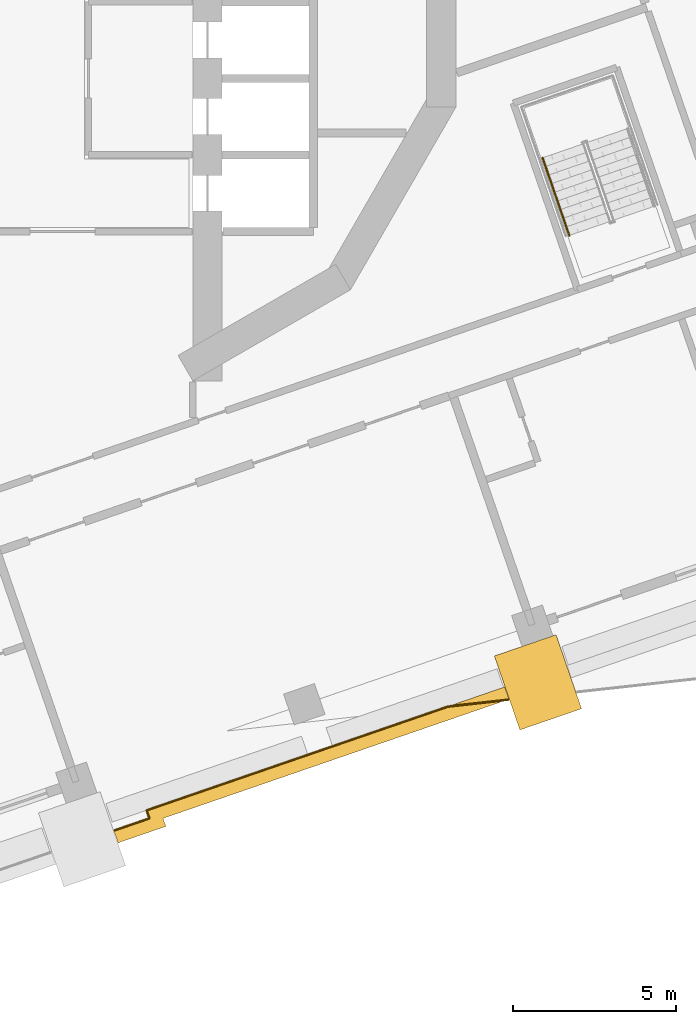
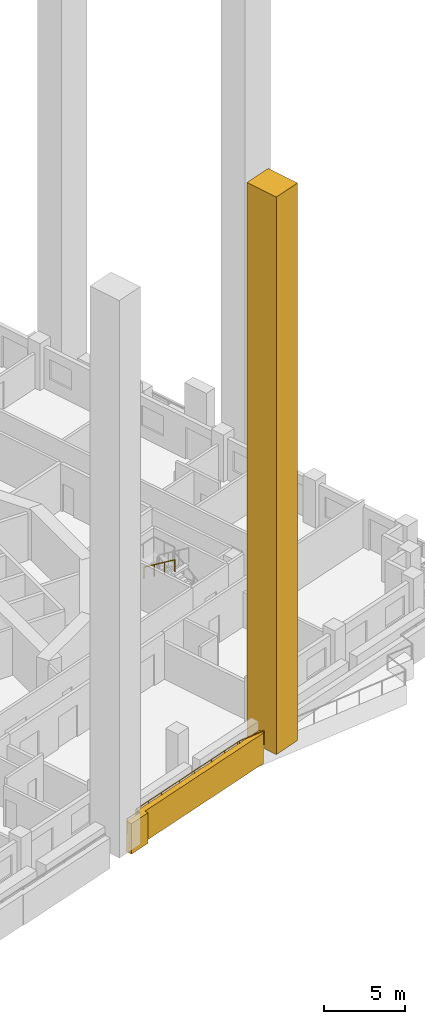
# One storey, part 12 of 18: 3 railings, 2 coverings.
"""IFC4 building model written with IfcOpenShell, lengths in metres."""

from ifc_helpers import new_model, si_unit, direction, frame, origin, origin_2d, place, context, subcontext, project, spatial, polyline, rectangle, circle, outline, extrude, material, type_object, element, save


model = new_model("IFC4")

# Units and contexts
model_context = context("Model", 3, precision=1e-05, world=origin(), true_north=direction((0.0, 1.0)))
body_context = subcontext(model_context, "Body", "Model", "MODEL_VIEW")
ifc_project = project(units=[si_unit("LENGTHUNIT", "METRE"), si_unit("AREAUNIT", "SQUARE_METRE"), si_unit("VOLUMEUNIT", "CUBIC_METRE"), si_unit("PLANEANGLEUNIT", "RADIAN"), si_unit("MASSUNIT", "GRAM", prefix="KILO")], contexts=[model_context])

# Site, building, storey
site_placement = place(None, origin())
site = spatial("IfcSite", under=ifc_project, at=site_placement, CompositionType="ELEMENT")
building_placement = place(site_placement, origin())
building = spatial("IfcBuilding", under=site, at=building_placement, Name="Cantera Rosa Tower", CompositionType="ELEMENT")
storey_placement = place(building_placement, frame((0.0, 0.0, 100.300048828125)))
storey = spatial("IfcBuildingStorey", under=building, at=storey_placement, Name="L19", CompositionType="ELEMENT", Elevation=100.300048828125)

# Railings
ifc_material_1 = material(Name="Stainless steel and laminated glass", Category="steel")
railing_type_1 = type_object("IfcRailingType", Name="GUARD 1100", PredefinedType="BALUSTRADE", material=ifc_material_1)
railing_1_placement = place(storey_placement, frame((4.870849609375, -24.02294921875, 0.0)))
element("IfcRailing", 1, at=railing_1_placement, inside=storey, type_object=railing_type_1, Name="GUARD L19-7", PredefinedType="BALUSTRADE", context=body_context, shape_type="SweptSolid", body=[
    extrude(circle(Radius=0.030029296875, at=origin_2d()), frame((0.0, 0.0, 1.070068359375), z_axis=(-0.945499405939, -0.325623821868, 0.0), x_axis=(0.325623821868, -0.945499405939, 0.0)), (0.0, 0.0, 1.0), 2.420166015625),
    extrude(circle(Radius=0.030029296875, at=origin_2d()), frame((-2.288330078125, -0.7880859375, 1.070068359375), z_axis=(-0.928476690885, -0.371390676354, 0.0), x_axis=(0.371390676354, -0.928476690885, 0.0)), (0.0, 0.0, 1.0), 0.002685546875),
    extrude(circle(Radius=0.030029296875, at=origin_2d()), frame((-2.290771484375, -0.7890625, 1.070068359375), z_axis=(0.294085848838, -0.955779008722, 0.0), x_axis=(0.955779008722, 0.294085848838, 0.0)), (0.0, 0.0, 1.0), 0.00341796875),
    extrude(circle(Radius=0.030029296875, at=origin_2d()), frame((-2.289794921875, -0.792236328125, 1.070068359375), z_axis=(0.325582297087, -0.945513705783, 0.0), x_axis=(0.945513705783, 0.325582297087, 0.0)), (0.0, 0.0, 1.0), 0.258056640625),
    extrude(circle(Radius=0.030029296875, at=origin_2d()), frame((-2.205810546875, -1.0361328125, 1.070068359375), z_axis=(-0.945508186981, -0.325598323632, 0.0), x_axis=(0.325598323632, -0.945508186981, 0.0)), (0.0, 0.0, 1.0), 1.131591796875),
    extrude(circle(Radius=0.02490234375, at=origin_2d()), origin(), (0.0, 0.0, 1.0), 1.0400390625),
    extrude(circle(Radius=0.02490234375, at=origin_2d()), frame((-1.14404296875, -0.39404296875, 0.0)), (0.0, 0.0, 1.0), 1.0400390625),
    extrude(circle(Radius=0.02490234375, at=origin_2d()), frame((-2.288330078125, -0.7880859375, 0.0)), (0.0, 0.0, 1.0), 1.0400390625),
    extrude(circle(Radius=0.02490234375, at=origin_2d()), frame((-2.290771484375, -0.7890625, 0.0)), (0.0, 0.0, 1.0), 1.0400390625),
    extrude(circle(Radius=0.02490234375, at=origin_2d()), frame((-2.289794921875, -0.792236328125, 0.0)), (0.0, 0.0, 1.0), 1.0400390625),
    extrude(circle(Radius=0.02490234375, at=origin_2d()), frame((-2.205810546875, -1.0361328125, 0.0)), (0.0, 0.0, 1.0), 1.0400390625),
    extrude(circle(Radius=0.02490234375, at=origin_2d()), frame((-3.275634765625, -1.404541015625, 0.0)), (0.0, 0.0, 1.0), 1.0400390625),
])
railing_2_placement = place(storey_placement, frame((13.689697265625, -21.420654296875, 0.0)))
element("IfcRailing", 2, at=railing_2_placement, inside=storey, type_object=railing_type_1, Name="GUARD L19-9", PredefinedType="BALUSTRADE", context=body_context, shape_type="SweptSolid", body=[
    extrude(circle(Radius=0.030029296875, at=origin_2d()), frame((0.0, 0.0, 1.070068359375), z_axis=(-0.993896479956, -0.110316758164, 0.0), x_axis=(0.110316758164, -0.993896479956, 0.0)), (0.0, 0.0, 1.0), 1.867919921875),
    extrude(circle(Radius=0.030029296875, at=origin_2d()), frame((-1.8564453125, -0.2060546875, 1.070068359375), z_axis=(-0.984783558818, -0.173785333909, 0.0), x_axis=(0.173785333909, -0.984783558818, 0.0)), (0.0, 0.0, 1.0), 0.004150390625),
    extrude(circle(Radius=0.030029296875, at=origin_2d()), frame((-1.860595703125, -0.206787109375, 1.070068359375), z_axis=(-0.970142500145, -0.242535625036, 0.0), x_axis=(0.242535625036, -0.970142500145, 0.0)), (0.0, 0.0, 1.0), 0.00390625),
    extrude(circle(Radius=0.030029296875, at=origin_2d()), frame((-1.864501953125, -0.207763671875, 1.070068359375), z_axis=(-0.945329104047, -0.326117900523, 0.0), x_axis=(0.326117900523, -0.945329104047, 0.0)), (0.0, 0.0, 1.0), 0.177490234375),
    extrude(circle(Radius=0.030029296875, at=origin_2d()), frame((-2.0322265625, -0.265625, 1.070068359375), z_axis=(-0.945523575352, -0.325553633758, 0.0), x_axis=(0.325553633758, -0.945523575352, 0.0)), (0.0, 0.0, 1.0), 2.4619140625),
    extrude(circle(Radius=0.030029296875, at=origin_2d()), frame((-4.360107421875, -1.067138671875, 1.070068359375), z_axis=(-0.945523990912, -0.325552426822, 0.0), x_axis=(0.325552426822, -0.945523990912, 0.0)), (0.0, 0.0, 1.0), 1.631103515625),
    extrude(circle(Radius=0.030029296875, at=origin_2d()), frame((-5.90234375, -1.59814453125, 1.070068359375), z_axis=(-0.945497988391, -0.325627937911, 0.0), x_axis=(0.325627937911, -0.945497988391, 0.0)), (0.0, 0.0, 1.0), 1.369140625),
    extrude(circle(Radius=0.030029296875, at=origin_2d()), frame((-7.19677734375, -2.0439453125, 1.070068359375), z_axis=(-0.945549792538, -0.325477479761, 0.0), x_axis=(0.325477479761, -0.945549792538, 0.0)), (0.0, 0.0, 1.0), 1.715576171875),
    extrude(circle(Radius=0.02490234375, at=origin_2d()), origin(), (0.0, 0.0, 1.0), 1.0400390625),
    extrude(circle(Radius=0.02490234375, at=origin_2d()), frame((-1.8564453125, -0.2060546875, 0.0)), (0.0, 0.0, 1.0), 1.0400390625),
    extrude(circle(Radius=0.02490234375, at=origin_2d()), frame((-1.860595703125, -0.206787109375, 0.0)), (0.0, 0.0, 1.0), 1.0400390625),
    extrude(circle(Radius=0.02490234375, at=origin_2d()), frame((-1.864501953125, -0.207763671875, 0.0)), (0.0, 0.0, 1.0), 1.0400390625),
    extrude(circle(Radius=0.02490234375, at=origin_2d()), frame((-2.0322265625, -0.265625, 0.0)), (0.0, 0.0, 1.0), 1.0400390625),
    extrude(circle(Radius=0.02490234375, at=origin_2d()), frame((-3.1962890625, -0.66650390625, 0.0)), (0.0, 0.0, 1.0), 1.0400390625),
    extrude(circle(Radius=0.02490234375, at=origin_2d()), frame((-4.360107421875, -1.067138671875, 0.0)), (0.0, 0.0, 1.0), 1.0400390625),
    extrude(circle(Radius=0.02490234375, at=origin_2d()), frame((-5.90234375, -1.59814453125, 0.0)), (0.0, 0.0, 1.0), 1.0400390625),
    extrude(circle(Radius=0.02490234375, at=origin_2d()), frame((-7.19677734375, -2.0439453125, 0.0)), (0.0, 0.0, 1.0), 1.0400390625),
    extrude(circle(Radius=0.02490234375, at=origin_2d()), frame((-8.81884765625, -2.602294921875, 0.0)), (0.0, 0.0, 1.0), 1.0400390625),
])
ifc_material_2 = material(Name="Steel S355J2 (EN 10025-2)", Category="steel")
railing_type_2 = type_object("IfcRailingType", Name="STAIR HANDRAIL 900", PredefinedType="HANDRAIL", material=ifc_material_2)
railing_3_placement = place(storey_placement, frame((14.7353515625, -4.78857421875, 2.08984375)))
element("IfcRailing", 3, at=railing_3_placement, inside=storey, type_object=railing_type_2, Name="L19 ST-23 stair handrail 2", PredefinedType="HANDRAIL", context=body_context, shape_type="SweptSolid", body=[
    extrude(circle(Radius=0.02392578125, at=origin_2d()), frame((0.0, 0.0, 0.8759765625), z_axis=(0.269345946519, -0.782385844651, 0.561538201002), x_axis=(0.945537585866, 0.325512939397, 0.0)), (0.0, 0.0, 1.0), 3.045654296875),
    extrude(circle(Radius=0.02099609375, at=origin_2d()), origin(), (0.0, 0.0, 1.0), 0.851806640625),
    extrude(circle(Radius=0.02099609375, at=origin_2d()), frame((0.2734375, -0.794189453125, 0.570068359375)), (0.0, 0.0, 1.0), 0.851806640625),
    extrude(circle(Radius=0.02099609375, at=origin_2d()), frame((0.546875, -1.588623046875, 1.14013671875)), (0.0, 0.0, 1.0), 0.851806640625),
    extrude(circle(Radius=0.02099609375, at=origin_2d()), frame((0.8203125, -2.3828125, 1.710205078125)), (0.0, 0.0, 1.0), 0.851806640625),
])

# Coverings
ifc_material_3 = material(Name="Cantera stone", Category="masonry")
covering_type_1 = type_object("IfcCoveringType", Name="STONE FIN 2000x2400", PredefinedType="CLADDING", material=ifc_material_3)
covering_1_placement = place(storey_placement, frame((14.594970703125, -20.88623046875, -0.300048828125), z_axis=(0.0, 0.0, 1.0), x_axis=(0.945518575599, 0.325568154457, 0.0)))
element("IfcCovering", 4, at=covering_1_placement, inside=storey, type_object=covering_type_1, Name="STONE FIN FN-Z2-06", PredefinedType="CLADDING", context=body_context, shape_type="SweptSolid", body=[
    extrude(rectangle(XDim=2.0, YDim=2.39990234375, at=origin_2d()), origin(), (0.0, 0.0, 1.0), 42.10009765625),
])
ifc_material_4 = material(Name="Cantera stone", Category="masonry")
covering_type_2 = type_object("IfcCoveringType", Name="TRAY FASCIA 400", PredefinedType="CLADDING", material=ifc_material_4)
covering_2_placement = place(storey_placement, frame((0.0, 0.0, -1.400146484375)))
element("IfcCovering", 5, at=covering_2_placement, inside=storey, type_object=covering_type_2, Name="TRAY FASCIA L19-04", PredefinedType="CLADDING", context=body_context, shape_type="SweptSolid", body=[
    extrude(outline(polyline([(13.6201171875, -21.433349609375), (9.459716796875, -22.865966796875), (6.623291015625, -23.8427734375), (3.08837890625, -25.059814453125), (3.173583984375, -25.306884765625), (1.70654296875, -25.81201171875), (1.576416015625, -25.433837890625), (2.6650390625, -25.05908203125), (2.579833984375, -24.811767578125), (6.492919921875, -23.46435546875), (9.32958984375, -22.48779296875), (13.48974609375, -21.05517578125), (13.574951171875, -21.02587890625), (13.705078125, -21.404052734375), (13.6201171875, -21.433349609375)])), origin(), (0.0, 0.0, 1.0), 2.300048828125),
])

save(model, "model.ifc")
